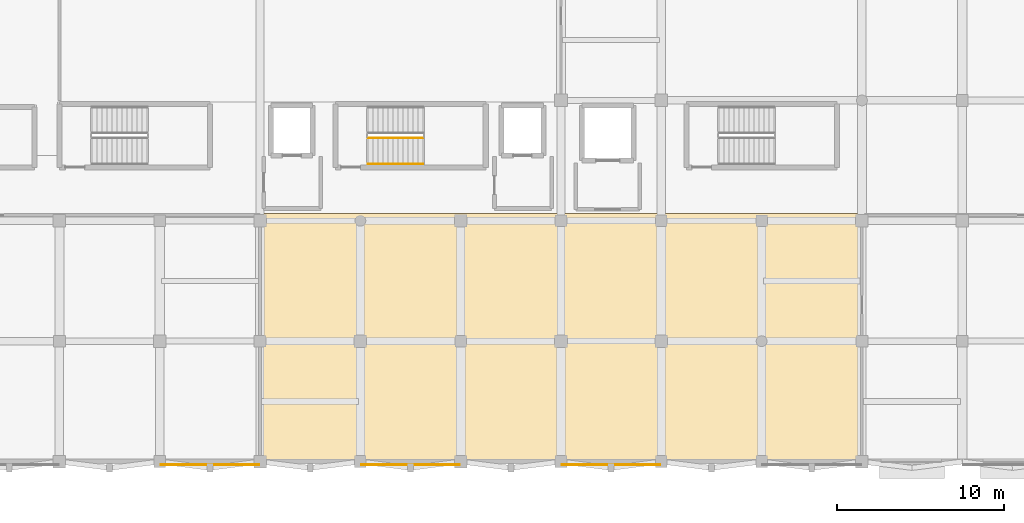
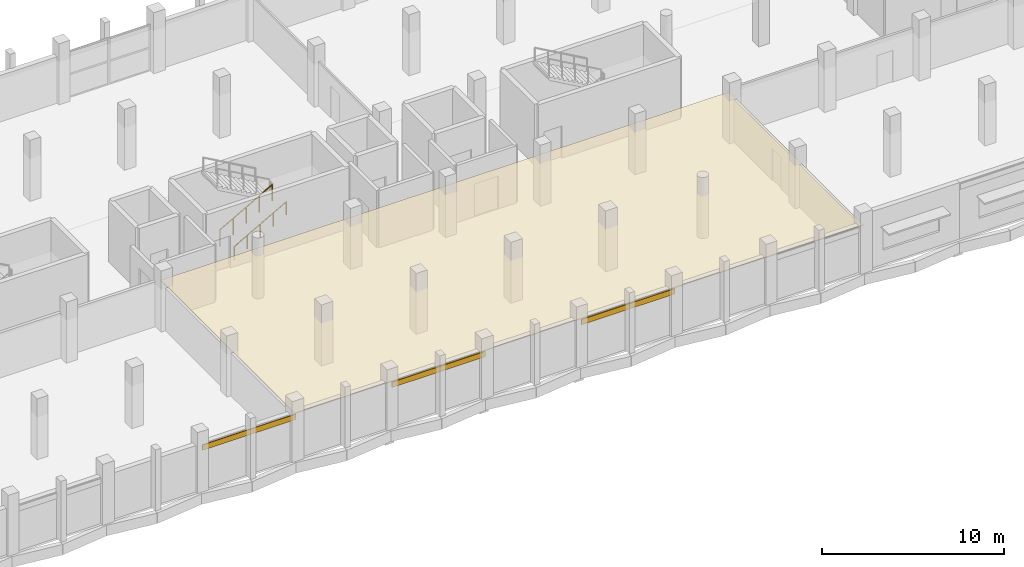
# One storey, part 116 of 127: 4 coverings, 2 railings.
"""IFC4 building model written with IfcOpenShell, lengths in metres."""

from ifc_helpers import new_model, si_unit, direction, frame, origin, origin_2d, place, context, subcontext, project, spatial, polyline, rectangle, circle, outline, extrude, material, layer, layer_set, type_object, element, save


model = new_model("IFC4")

# Units and contexts
model_context = context("Model", 3, precision=1e-05, world=origin(), true_north=direction((0.0, 1.0)))
body_context = subcontext(model_context, "Body", "Model", "MODEL_VIEW")
ifc_project = project(units=[si_unit("LENGTHUNIT", "METRE"), si_unit("AREAUNIT", "SQUARE_METRE"), si_unit("VOLUMEUNIT", "CUBIC_METRE"), si_unit("PLANEANGLEUNIT", "RADIAN"), si_unit("MASSUNIT", "GRAM", prefix="KILO")], contexts=[model_context])

# Site, building, storey
site_placement = place(None, origin())
site = spatial("IfcSite", under=ifc_project, at=site_placement, CompositionType="ELEMENT")
building_placement = place(site_placement, origin())
building = spatial("IfcBuilding", under=site, at=building_placement, Name="Dunvalen Ferry Terminal", CompositionType="ELEMENT")
storey_placement = place(building_placement, frame((0.0, 0.0, 5.760009765625)))
storey = spatial("IfcBuildingStorey", under=building, at=storey_placement, Name="L01", CompositionType="ELEMENT", Elevation=5.760009765625)

# Coverings
ifc_material_1 = material(Name="Anodised marine aluminium fascia cladding", Category="aluminium")
ifc_layer_1 = layer(ifc_material_1, 0.050048828125, Name="Anodised marine aluminium fascia cladding")
ifc_layer_set_1 = layer_set([ifc_layer_1], Name="Anodised marine aluminium fascia cladding")
covering_type_1 = type_object("IfcCoveringType", Name="ENV-COV-CLD01", PredefinedType="CLADDING", material=ifc_layer_set_1)
for number, where, z_axis, x_axis, name in (
    (1, (33.0, -0.18408203125, 2.68017578125), (0.0, 0.0, 1.0), (1.0, 0.0, 0.0), "L01 Streamline Speed-Line Fascia Band 010"),
    (2, (45.0, -0.18408203125, 2.68017578125), (0.0, 0.0, 1.0), (1.0, 0.0, 0.0), "L01 Streamline Speed-Line Fascia Band 011"),
    (3, (57.0, -0.18408203125, 2.68017578125), (0.0, 0.0, 1.0), (1.0, 0.0, 0.0), "L01 Streamline Speed-Line Fascia Band 012"),
):
    element("IfcCovering", number, at=place(storey_placement, frame(where, z_axis=z_axis, x_axis=x_axis)), inside=storey, type_object=covering_type_1, Name=name, PredefinedType="CLADDING", context=body_context, shape_type="SweptSolid", body=[
        extrude(rectangle(XDim=5.89990234375, YDim=0.050048828125, at=origin_2d()), origin(), (0.0, 0.0, 1.0), 0.360107421875),
    ])
ifc_material_2 = material(Name="Moisture-resistant mineral-fibre acoustic ceiling", Category="gypsum")
ifc_layer_2 = layer(ifc_material_2, 0.050048828125, Name="Moisture-resistant mineral-fibre acoustic ceiling")
ifc_layer_set_2 = layer_set([ifc_layer_2], Name="Moisture-resistant mineral-fibre acoustic ceiling")
covering_type_2 = type_object("IfcCoveringType", Name="INT-COV-CLG02", PredefinedType="CEILING", material=ifc_layer_set_2)
covering_placement = place(storey_placement, frame((0.0, 0.0, 2.800048828125)))
element("IfcCovering", 4, at=covering_placement, inside=storey, type_object=covering_type_2, Name="L01 Marine Pilotage Rostering and Briefing Suite Acoustic Suspended Ceiling", PredefinedType="CEILING", context=body_context, shape_type="SweptSolid", body=[
    extrude(outline(polyline([(72.090087890625, 14.830078125), (36.070068359375, 14.830078125), (36.070068359375, 0.1298828125), (72.090087890625, 0.1298828125), (72.090087890625, 14.830078125)])), origin(), (0.0, 0.0, 1.0), 0.050048828125),
])

# Railings
ifc_material_3 = material(Name="Painted galvanised steel S275", Category="steel")
railing_type_1 = type_object("IfcRailingType", Name="INT-RL-STGRD", PredefinedType="GUARDRAIL", material=ifc_material_3)
railing_1_placement = place(storey_placement, frame((42.449951171875, 19.35009765625, 0.169921875)))
element("IfcRailing", 5, at=railing_1_placement, inside=storey, type_object=railing_type_1, Name="L01 ST2 stair guard 1", PredefinedType="GUARDRAIL", context=body_context, shape_type="SweptSolid", body=[
    extrude(circle(Radius=0.02392578125, at=origin_2d()), frame((0.0, 0.0, 1.076171875), z_axis=(0.870012062771, 0.0, 0.493030435808), x_axis=(0.0, 1.0, 0.0)), (0.0, 0.0, 1.0), 3.793212890625),
    extrude(circle(Radius=0.02099609375, at=origin_2d()), origin(), (0.0, 0.0, 1.0), 1.052001953125),
    extrude(circle(Radius=0.02099609375, at=origin_2d()), frame((0.824951171875, 0.0, 0.467529296875)), (0.0, 0.0, 1.0), 1.052001953125),
    extrude(circle(Radius=0.02099609375, at=origin_2d()), frame((1.64990234375, 0.0, 0.93505859375)), (0.0, 0.0, 1.0), 1.052001953125),
    extrude(circle(Radius=0.02099609375, at=origin_2d()), frame((2.47509765625, 0.0, 1.402587890625)), (0.0, 0.0, 1.0), 1.052001953125),
    extrude(circle(Radius=0.02099609375, at=origin_2d()), frame((3.300048828125, 0.0, 1.8701171875)), (0.0, 0.0, 1.0), 1.052001953125),
])
ifc_material_4 = material(Name="Brushed 316 stainless steel", Category="steel")
railing_type_2 = type_object("IfcRailingType", Name="INT-RL-STHND", PredefinedType="HANDRAIL", material=ifc_material_4)
railing_2_placement = place(storey_placement, frame((42.449951171875, 17.800048828125, 0.169921875)))
element("IfcRailing", 6, at=railing_2_placement, inside=storey, type_object=railing_type_2, Name="L01 ST2 stair handrail 1", PredefinedType="HANDRAIL", context=body_context, shape_type="SweptSolid", body=[
    extrude(circle(Radius=0.02392578125, at=origin_2d()), frame((0.0, 0.0, 0.8759765625), z_axis=(0.870012062771, 0.0, 0.493030435808), x_axis=(0.0, 1.0, 0.0)), (0.0, 0.0, 1.0), 3.793212890625),
    extrude(circle(Radius=0.02099609375, at=origin_2d()), origin(), (0.0, 0.0, 1.0), 0.851806640625),
    extrude(circle(Radius=0.02099609375, at=origin_2d()), frame((0.824951171875, 0.0, 0.467529296875)), (0.0, 0.0, 1.0), 0.851806640625),
    extrude(circle(Radius=0.02099609375, at=origin_2d()), frame((1.64990234375, 0.0, 0.93505859375)), (0.0, 0.0, 1.0), 0.851806640625),
    extrude(circle(Radius=0.02099609375, at=origin_2d()), frame((2.47509765625, 0.0, 1.402587890625)), (0.0, 0.0, 1.0), 0.851806640625),
    extrude(circle(Radius=0.02099609375, at=origin_2d()), frame((3.300048828125, 0.0, 1.8701171875)), (0.0, 0.0, 1.0), 0.851806640625),
])

save(model, "model.ifc")
